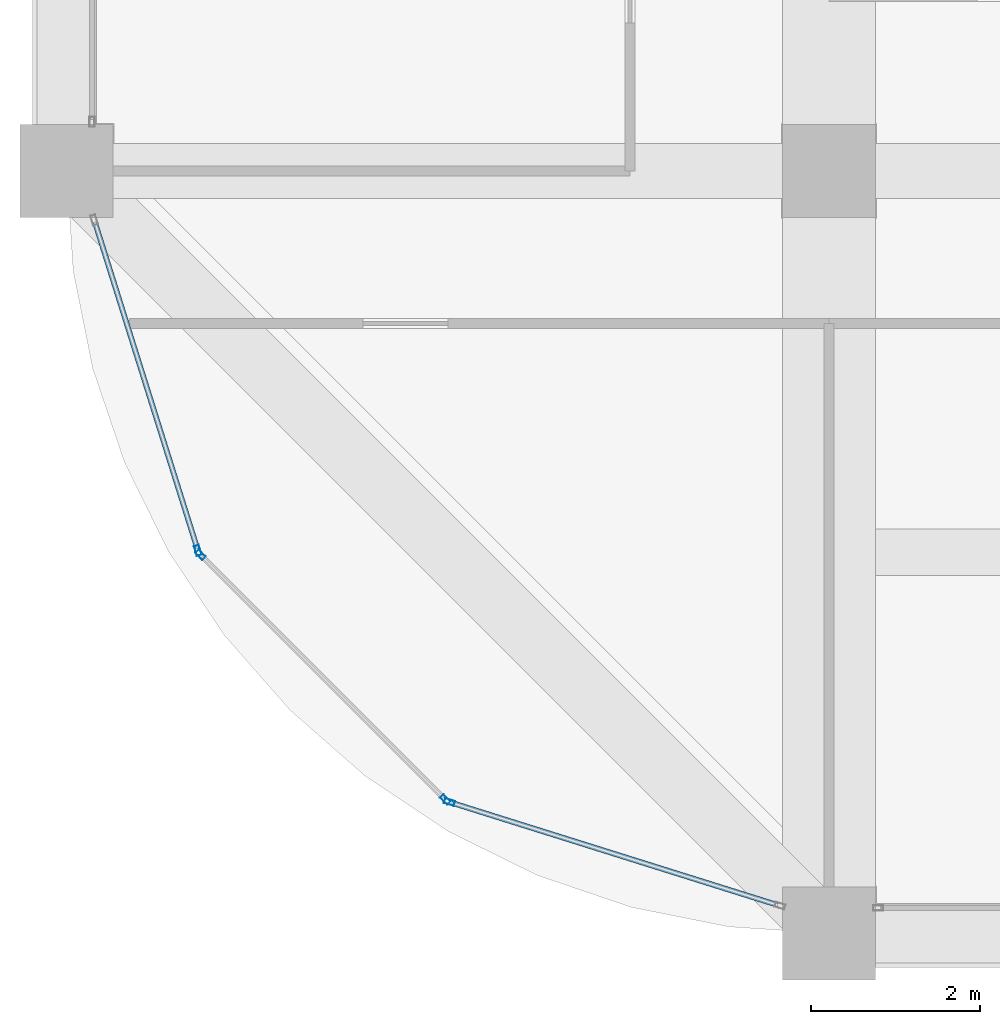
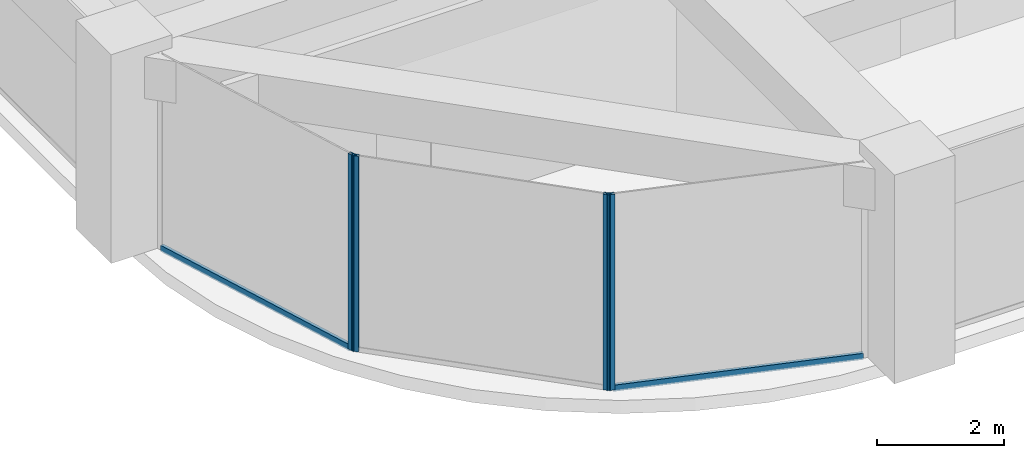
# One storey, part 2 of 44: 6 members, 3 elements without a shape of their own.
"""IFC4 building model written with IfcOpenShell, lengths in metres."""

from ifc_helpers import new_model, si_unit, direction, frame, origin, origin_2d, place, context, subcontext, project, spatial, hollow_rectangle, extrude, material, material_profile, profile_set, type_object, element, aggregate, save


model = new_model("IFC4")

# Units and contexts
model_context = context("Model", 3, precision=1e-05, world=origin(), true_north=direction((0.0, 1.0)))
body_context = subcontext(model_context, "Body", "Model", "MODEL_VIEW")
ifc_project = project(units=[si_unit("LENGTHUNIT", "METRE"), si_unit("AREAUNIT", "SQUARE_METRE"), si_unit("VOLUMEUNIT", "CUBIC_METRE"), si_unit("PLANEANGLEUNIT", "RADIAN"), si_unit("MASSUNIT", "GRAM", prefix="KILO")], contexts=[model_context])

# Site, building, storey
site_placement = place(None, origin())
site = spatial("IfcSite", under=ifc_project, at=site_placement, CompositionType="ELEMENT")
building_placement = place(site_placement, origin())
building = spatial("IfcBuilding", under=site, at=building_placement, Name="Zorevar Civic Tower", CompositionType="ELEMENT")
storey_placement = place(building_placement, frame((0.0, 0.0, 287.39990234375)))
storey = spatial("IfcBuildingStorey", under=building, at=storey_placement, Name="L70", CompositionType="ELEMENT", Elevation=287.39990234375)

# Curtain wall, member
ifc_material_1 = material(Name="Dark grey solar-control glass in black aluminium frame", Category="aluminium")
curtain_wall_type = type_object("IfcCurtainWallType", Name="Curtain wall CW5 top zone", PredefinedType="NOTDEFINED", material=ifc_material_1)
curtain_wall_1_placement = place(storey_placement, origin())
curtain_wall_1 = element("IfcCurtainWall", 1, at=curtain_wall_1_placement, inside=storey, type_object=curtain_wall_type, Name="CW5 L70", PredefinedType="NOTDEFINED")
ifc_material_2 = material(Name="Aluminium, black anodised", Category="aluminium")
ifc_material_profile_1 = material_profile(ifc_material_2, hollow_rectangle(XDim=0.06005859375, YDim=0.1201171875, WallThickness=0.0029296875, at=origin_2d()), Name="AL 120x60x3")
ifc_profile_set_1 = profile_set([ifc_material_profile_1], Name="Aluminium, black anodised")
member_type_1 = type_object("IfcMemberType", Name="CW5 mullion AL 120x60x3", PredefinedType="MULLION", material=ifc_profile_set_1)
member_1_placement = place(storey_placement, frame((10.550048828125, 4.520751953125, 0.0), z_axis=(0.0, 0.0, 1.0), x_axis=(0.954153437674, 0.299317920238, 0.0)))
member_1 = element("IfcMember", 2, at=member_1_placement, type_object=member_type_1, Name="CW5 mullion 2", PredefinedType="MULLION", context=body_context, shape_type="SweptSolid", body=[
    extrude(hollow_rectangle(XDim=0.06005859375, YDim=0.1201171875, WallThickness=0.0029296875, at=origin_2d()), origin(), (0.0, 0.0, 1.0), 3.75),
])

# Curtain wall, members
curtain_wall_2_placement = place(storey_placement, origin())
curtain_wall_2 = element("IfcCurtainWall", 3, at=curtain_wall_2_placement, inside=storey, type_object=curtain_wall_type, Name="CW5 L70", PredefinedType="NOTDEFINED")
member_2_placement = place(storey_placement, frame((10.580322265625, 4.470947265625, 0.0), z_axis=(0.0, 0.0, 1.0), x_axis=(0.707106781187, 0.707106781187, 0.0)))
member_2 = element("IfcMember", 4, at=member_2_placement, type_object=member_type_1, Name="CW5 mullion 1", PredefinedType="MULLION", context=body_context, shape_type="SweptSolid", body=[
    extrude(hollow_rectangle(XDim=0.06005859375, YDim=0.1201171875, WallThickness=0.0029296875, at=origin_2d()), origin(), (0.0, 0.0, 1.0), 3.75),
])
member_3_placement = place(storey_placement, frame((13.470947265625, 1.580322265625, 0.0), z_axis=(0.0, 0.0, 1.0), x_axis=(0.707106781187, 0.707106781187, 0.0)))
member_3 = element("IfcMember", 5, at=member_3_placement, type_object=member_type_1, Name="CW5 mullion 2", PredefinedType="MULLION", context=body_context, shape_type="SweptSolid", body=[
    extrude(hollow_rectangle(XDim=0.06005859375, YDim=0.1201171875, WallThickness=0.0029296875, at=origin_2d()), origin(), (0.0, 0.0, 1.0), 3.75),
])
aggregate(curtain_wall_2, [member_2, member_3])

# Curtain wall, member
curtain_wall_3_placement = place(storey_placement, origin())
curtain_wall_3 = element("IfcCurtainWall", 6, at=curtain_wall_3_placement, inside=storey, type_object=curtain_wall_type, Name="CW5 L70", PredefinedType="NOTDEFINED")
member_4_placement = place(storey_placement, frame((13.520751953125, 1.550048828125, 0.0), z_axis=(0.0, 0.0, 1.0), x_axis=(0.299317920238, 0.954153437674, 0.0)))
member_4 = element("IfcMember", 7, at=member_4_placement, type_object=member_type_1, Name="CW5 mullion 1", PredefinedType="MULLION", context=body_context, shape_type="SweptSolid", body=[
    extrude(hollow_rectangle(XDim=0.06005859375, YDim=0.1201171875, WallThickness=0.0029296875, at=origin_2d()), origin(), (0.0, 0.0, 1.0), 3.75),
])

# Member
ifc_material_3 = material(Name="Aluminium, black anodised", Category="aluminium")
ifc_material_profile_2 = material_profile(ifc_material_3, hollow_rectangle(XDim=0.06005859375, YDim=0.1201171875, WallThickness=0.0029296875, at=origin_2d()), Name="AL 120x60x3")
ifc_profile_set_2 = profile_set([ifc_material_profile_2], Name="Aluminium, black anodised")
member_type_2 = type_object("IfcMemberType", Name="CW5 transom AL 120x60x3", PredefinedType="USERDEFINED", material=ifc_profile_set_2)
member_5_placement = place(storey_placement, frame((9.33544921875, 8.392822265625, 0.030029296875), z_axis=(0.299285978047, -0.954163457351, 0.0), x_axis=(0.954163457351, 0.299285978047, 0.0)))
member_5 = element("IfcMember", 8, at=member_5_placement, type_object=member_type_2, Name="CW5 sill transom", ObjectType="TRANSOM", PredefinedType="USERDEFINED", context=body_context, shape_type="SweptSolid", body=[
    extrude(hollow_rectangle(XDim=0.06005859375, YDim=0.1201171875, WallThickness=0.0029296875, at=origin_2d()), origin(), (0.0, 0.0, 1.0), 4.028076171875),
])

aggregate(curtain_wall_1, [member_1, member_5])

member_6_placement = place(storey_placement, frame((13.54931640625, 1.541015625, 0.030029296875), z_axis=(0.954163457351, -0.299285978047, 0.0), x_axis=(0.299285978047, 0.954163457351, 0.0)))
member_6 = element("IfcMember", 9, at=member_6_placement, type_object=member_type_2, Name="CW5 sill transom", ObjectType="TRANSOM", PredefinedType="USERDEFINED", context=body_context, shape_type="SweptSolid", body=[
    extrude(hollow_rectangle(XDim=0.06005859375, YDim=0.1201171875, WallThickness=0.0029296875, at=origin_2d()), origin(), (0.0, 0.0, 1.0), 4.028076171875),
])

aggregate(curtain_wall_3, [member_4, member_6])

save(model, "model.ifc")
